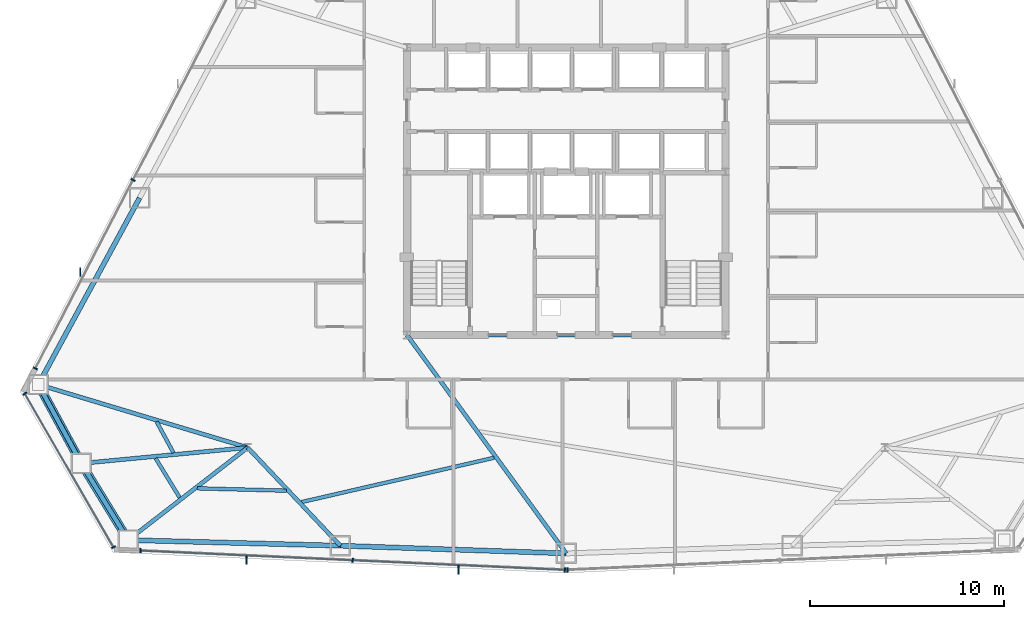
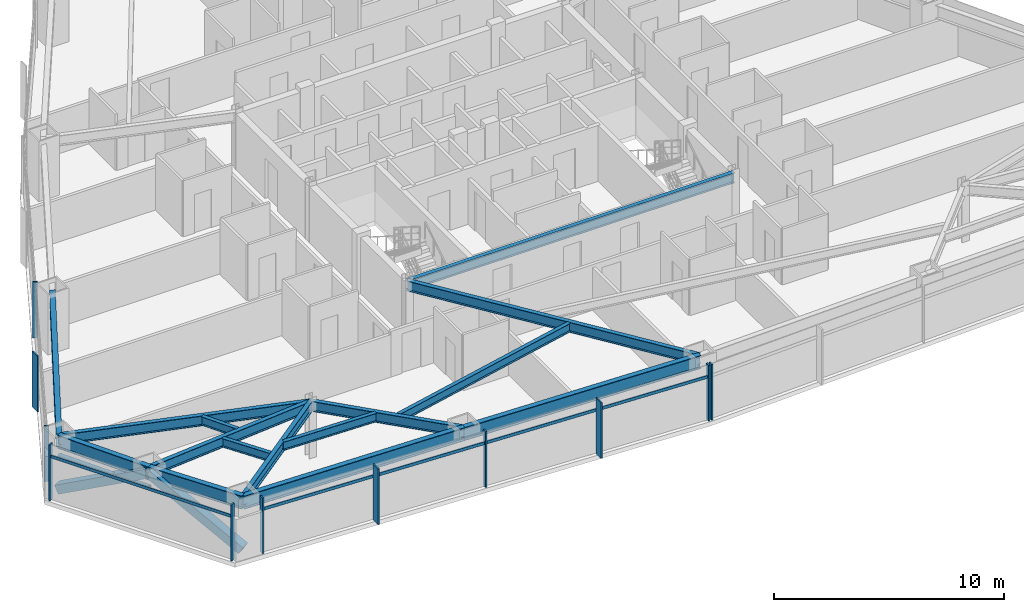
# One storey, part 4 of 13: 16 members, 15 beams, 4 elements without a shape of their own.
"""IFC4 building model written with IfcOpenShell, lengths in metres."""

from ifc_helpers import new_model, si_unit, direction, frame, origin, origin_2d, place, context, subcontext, project, spatial, rectangle, hollow_rectangle, hollow_circle, i_section, extrude, source, transform, mapped, material, layer, layer_set, material_profile, profile_set, type_object, type_shapes, element, aggregate, save


model = new_model("IFC4")

# Units and contexts
model_context = context("Model", 3, precision=1e-05, world=origin(), true_north=direction((0.0, 1.0)))
body_context = subcontext(model_context, "Body", "Model", "MODEL_VIEW")
ifc_project = project(units=[si_unit("LENGTHUNIT", "METRE"), si_unit("AREAUNIT", "SQUARE_METRE"), si_unit("VOLUMEUNIT", "CUBIC_METRE"), si_unit("PLANEANGLEUNIT", "RADIAN"), si_unit("MASSUNIT", "GRAM", prefix="KILO")], contexts=[model_context])

# Site, building, storey
site_placement = place(None, origin())
site = spatial("IfcSite", under=ifc_project, at=site_placement, CompositionType="ELEMENT")
building_placement = place(site_placement, origin())
building = spatial("IfcBuilding", under=site, at=building_placement, Name="Varakhsha Concourse Tower", CompositionType="ELEMENT")
storey_placement = place(building_placement, frame((0.0, 0.0, 86.199951171875)))
storey = spatial("IfcBuildingStorey", under=building, at=storey_placement, Name="L24", CompositionType="ELEMENT", Elevation=86.199951171875)

# Beams
ifc_material_1 = material(Name="Structural Steel ASTM A992 Grade 50", Category="steel")
ifc_material_profile_1 = material_profile(ifc_material_1, i_section(OverallWidth=0.19091796875, OverallDepth=0.45703125, WebThickness=0.009033203125, FlangeThickness=0.013916015625, at=origin_2d()), Name="W18X50")
ifc_profile_set_1 = profile_set([ifc_material_profile_1], Name="Structural Steel ASTM A992 Grade 50")
beam_type_1 = type_object("IfcBeamType", Name="BM-JST-W18X50", PredefinedType="JOIST", material=ifc_profile_set_1)
beam_1_placement = place(storey_placement, frame((18.910400390625, 11.93310546875, 2.741455078125), z_axis=(0.477504293562, -0.878629415414, 0.0), x_axis=(0.878629415414, 0.477504293562, 0.0)))
element("IfcBeam", 1, at=beam_1_placement, inside=storey, type_object=beam_type_1, Name="BM-TJST-L24-07", PredefinedType="JOIST", context=body_context, shape_type="SweptSolid", body=[
    extrude(i_section(OverallWidth=0.19091796875, OverallDepth=0.45703125, WebThickness=0.009033203125, FlangeThickness=0.013916015625, at=origin_2d()), origin(), (0.0, 0.0, 1.0), 1.815673828125),
])
beam_2_placement = place(storey_placement, frame((18.859130859375, 10.049560546875, 2.741455078125), z_axis=(0.522107999924, -0.852879379757, 0.0), x_axis=(0.852879379757, 0.522107999924, 0.0)))
element("IfcBeam", 2, at=beam_2_placement, inside=storey, type_object=beam_type_1, Name="BM-TJST-L24-08", PredefinedType="JOIST", context=body_context, shape_type="SweptSolid", body=[
    extrude(i_section(OverallWidth=0.19091796875, OverallDepth=0.45703125, WebThickness=0.009033203125, FlangeThickness=0.013916015625, at=origin_2d()), origin(), (0.0, 0.0, 1.0), 2.370849609375),
])
beam_3_placement = place(storey_placement, frame((21.002685546875, 8.502197265625, 2.741455078125), z_axis=(0.999648856186, -0.026498383477, 0.0), x_axis=(0.026498383477, 0.999648856186, 0.0)))
element("IfcBeam", 3, at=beam_3_placement, inside=storey, type_object=beam_type_1, Name="BM-TJST-L24-09", PredefinedType="JOIST", context=body_context, shape_type="SweptSolid", body=[
    extrude(i_section(OverallWidth=0.19091796875, OverallDepth=0.45703125, WebThickness=0.009033203125, FlangeThickness=0.013916015625, at=origin_2d()), origin(), (0.0, 0.0, 1.0), 4.58837890625),
])
beam_4_placement = place(storey_placement, frame((26.37890625, 7.796142578125, 2.741455078125), z_axis=(0.974514510129, 0.224324473804, 0.0), x_axis=(-0.224324473804, 0.974514510129, 0.0)))
element("IfcBeam", 4, at=beam_4_placement, inside=storey, type_object=beam_type_1, Name="BM-TJST-L24-10", PredefinedType="JOIST", context=body_context, shape_type="SweptSolid", body=[
    extrude(i_section(OverallWidth=0.19091796875, OverallDepth=0.45703125, WebThickness=0.009033203125, FlangeThickness=0.013916015625, at=origin_2d()), origin(), (0.0, 0.0, 1.0), 10.1650390625),
])
ifc_material_profile_2 = material_profile(ifc_material_1, i_section(OverallWidth=0.2109375, OverallDepth=0.5390625, WebThickness=0.011962890625, FlangeThickness=0.01904296875, at=origin_2d()), Name="W21X73")
ifc_profile_set_2 = profile_set([ifc_material_profile_2], Name="Structural Steel ASTM A992 Grade 50")
beam_type_2 = type_object("IfcBeamType", Name="BM-RAD-W21X73", PredefinedType="BEAM", material=ifc_profile_set_2)
beam_5_placement = place(storey_placement, frame((31.800048828125, 16.39990234375, 2.700439453125), z_axis=(1.0, 0.0, 0.0), x_axis=(0.0, 1.0, 0.0)))
element("IfcBeam", 5, at=beam_5_placement, inside=storey, type_object=beam_type_2, Name="BM-TCORE-L24-CS", PredefinedType="BEAM", context=body_context, shape_type="SweptSolid", body=[
    extrude(i_section(OverallWidth=0.2109375, OverallDepth=0.5390625, WebThickness=0.011962890625, FlangeThickness=0.01904296875, at=origin_2d()), origin(), (0.0, 0.0, 1.0), 16.39990234375),
])
beam_6_placement = place(storey_placement, frame((23.60009765625, 10.60009765625, 2.700439453125), z_axis=(-0.957434410413, 0.288650913313, 0.0), x_axis=(-0.288650913313, -0.957434410413, 0.0)))
element("IfcBeam", 6, at=beam_6_placement, inside=storey, type_object=beam_type_2, Name="L24 Radial Floor Girder 07", PredefinedType="BEAM", context=body_context, shape_type="SweptSolid", body=[
    extrude(i_section(OverallWidth=0.2109375, OverallDepth=0.5390625, WebThickness=0.011962890625, FlangeThickness=0.01904296875, at=origin_2d()), origin(), (0.0, 0.0, 1.0), 11.2568359375),
])
beam_7_placement = place(storey_placement, frame((23.60009765625, 10.60009765625, 2.700439453125), z_axis=(-0.995499423712, -0.094767596724, 0.0), x_axis=(0.094767596724, -0.995499423712, 0.0)))
element("IfcBeam", 7, at=beam_7_placement, inside=storey, type_object=beam_type_2, Name="L24 Radial Floor Girder 08", PredefinedType="BEAM", context=body_context, shape_type="SweptSolid", body=[
    extrude(i_section(OverallWidth=0.2109375, OverallDepth=0.5390625, WebThickness=0.011962890625, FlangeThickness=0.01904296875, at=origin_2d()), origin(), (0.0, 0.0, 1.0), 8.607177734375),
])
beam_8_placement = place(storey_placement, frame((23.60009765625, 10.60009765625, 2.700439453125), z_axis=(-0.790863829476, -0.611992159449, 0.0), x_axis=(0.611992159449, -0.790863829476, 0.0)))
element("IfcBeam", 8, at=beam_8_placement, inside=storey, type_object=beam_type_2, Name="L24 Radial Floor Girder 09", PredefinedType="BEAM", context=body_context, shape_type="SweptSolid", body=[
    extrude(i_section(OverallWidth=0.2109375, OverallDepth=0.5390625, WebThickness=0.011962890625, FlangeThickness=0.01904296875, at=origin_2d()), origin(), (0.0, 0.0, 1.0), 7.77978515625),
])
beam_9_placement = place(storey_placement, frame((23.60009765625, 10.60009765625, 2.700439453125), z_axis=(0.686667898497, -0.726971249207, 0.0), x_axis=(0.726971249207, 0.686667898497, 0.0)))
element("IfcBeam", 9, at=beam_9_placement, inside=storey, type_object=beam_type_2, Name="L24 Radial Floor Girder 10", PredefinedType="BEAM", context=body_context, shape_type="SweptSolid", body=[
    extrude(i_section(OverallWidth=0.2109375, OverallDepth=0.5390625, WebThickness=0.011962890625, FlangeThickness=0.01904296875, at=origin_2d()), origin(), (0.0, 0.0, 1.0), 6.947998046875),
])
beam_10_placement = place(storey_placement, frame((31.800048828125, 16.39990234375, 2.700439453125), z_axis=(0.589090089307, -0.808067365187, 0.0), x_axis=(0.808067365187, 0.589090089307, 0.0)))
element("IfcBeam", 10, at=beam_10_placement, inside=storey, type_object=beam_type_2, Name="L24 Radial Floor Girder 11", PredefinedType="BEAM", context=body_context, shape_type="SweptSolid", body=[
    extrude(i_section(OverallWidth=0.2109375, OverallDepth=0.5390625, WebThickness=0.011962890625, FlangeThickness=0.01904296875, at=origin_2d()), origin(), (0.0, 0.0, 1.0), 13.919677734375),
])
ifc_material_profile_3 = material_profile(ifc_material_1, i_section(OverallWidth=0.25390625, OverallDepth=0.701904296875, WebThickness=0.014892578125, FlangeThickness=0.028076171875, at=origin_2d()), Name="W27X129")
ifc_profile_set_3 = profile_set([ifc_material_profile_3], Name="Structural Steel ASTM A992 Grade 50")
beam_type_3 = type_object("IfcBeamType", Name="BM-SPAN-W27X129", PredefinedType="SPANDREL", material=ifc_profile_set_3)
beam_11_placement = place(storey_placement, frame((18.033203125, 23.45458984375, 2.619140625), z_axis=(-0.476839407103, -0.878990432163, 0.0), x_axis=(0.878990432163, -0.476839407103, 0.0)))
element("IfcBeam", 11, at=beam_11_placement, inside=storey, type_object=beam_type_3, Name="BM-SPAN-L24-06", PredefinedType="SPANDREL", context=body_context, shape_type="SweptSolid", body=[
    extrude(i_section(OverallWidth=0.25390625, OverallDepth=0.701904296875, WebThickness=0.014892578125, FlangeThickness=0.028076171875, at=origin_2d()), origin(), (0.0, 0.0, 1.0), 10.927490234375),
])
beam_12_placement = place(storey_placement, frame((12.822509765625, 13.849365234375, 2.619140625), z_axis=(0.47751686281, -0.878622584351, 0.0), x_axis=(0.878622584351, 0.47751686281, 0.0)))
element("IfcBeam", 12, at=beam_12_placement, inside=storey, type_object=beam_type_3, Name="BM-SPAN-L24-07", PredefinedType="SPANDREL", context=body_context, shape_type="SweptSolid", body=[
    extrude(i_section(OverallWidth=0.25390625, OverallDepth=0.701904296875, WebThickness=0.014892578125, FlangeThickness=0.028076171875, at=origin_2d()), origin(), (0.0, 0.0, 1.0), 4.62646484375),
])
beam_13_placement = place(storey_placement, frame((15.03173828125, 9.784423828125, 2.619140625), z_axis=(0.522135058867, -0.852862814468, 0.0), x_axis=(0.852862814468, 0.522135058867, 0.0)))
element("IfcBeam", 13, at=beam_13_placement, inside=storey, type_object=beam_type_3, Name="BM-SPAN-L24-08", PredefinedType="SPANDREL", context=body_context, shape_type="SweptSolid", body=[
    extrude(i_section(OverallWidth=0.25390625, OverallDepth=0.701904296875, WebThickness=0.014892578125, FlangeThickness=0.028076171875, at=origin_2d()), origin(), (0.0, 0.0, 1.0), 4.626220703125),
])
beam_14_placement = place(storey_placement, frame((17.447265625, 5.8388671875, 2.619140625), z_axis=(0.999648299755, -0.026519366436, 0.0), x_axis=(0.026519366436, 0.999648299755, 0.0)))
element("IfcBeam", 14, at=beam_14_placement, inside=storey, type_object=beam_type_3, Name="BM-SPAN-L24-09", PredefinedType="SPANDREL", context=body_context, shape_type="SweptSolid", body=[
    extrude(i_section(OverallWidth=0.25390625, OverallDepth=0.701904296875, WebThickness=0.014892578125, FlangeThickness=0.028076171875, at=origin_2d()), origin(), (0.0, 0.0, 1.0), 10.927734375),
])
beam_15_placement = place(storey_placement, frame((28.37109375, 5.549072265625, 2.619140625), z_axis=(0.999417135447, -0.034137799785, 0.0), x_axis=(0.034137799785, 0.999417135447, 0.0)))
element("IfcBeam", 15, at=beam_15_placement, inside=storey, type_object=beam_type_3, Name="BM-SPAN-L24-10", PredefinedType="SPANDREL", context=body_context, shape_type="SweptSolid", body=[
    extrude(i_section(OverallWidth=0.25390625, OverallDepth=0.701904296875, WebThickness=0.014892578125, FlangeThickness=0.028076171875, at=origin_2d()), origin(), (0.0, 0.0, 1.0), 11.6357421875),
])

# Members
ifc_material_2 = material(Name="Structural Steel ASTM A500 Grade C", Category="steel")
ifc_material_profile_4 = material_profile(ifc_material_2, hollow_rectangle(XDim=0.449951171875, YDim=0.449951171875, WallThickness=0.01904296875, at=origin_2d()), Name="HSS 450x450x19")
ifc_profile_set_4 = profile_set([ifc_material_profile_4], Name="Structural Steel ASTM A500 Grade C")
member_type_1 = type_object("IfcMemberType", Name="MB-TUBE-HSS450", PredefinedType="BRACE", material=ifc_profile_set_4)
shared_shape_1 = source(origin(), body_context, "Body", "SweptSolid", [
    extrude(hollow_rectangle(XDim=0.449951171875, YDim=0.449951171875, WallThickness=0.01904296875, at=origin_2d()), origin(), (0.0, 0.0, 1.0), 5.282470703125),
])
member_1_placement = place(storey_placement, frame((17.447265625, 5.8388671875, 0.1201171875), z_axis=(-0.457268644843, 0.746909093319, 0.482734080795), x_axis=(-0.852862814468, -0.522135058867, 0.0)))
element("IfcMember", 16, at=member_1_placement, inside=storey, type_object=member_type_1, Name="L24 Wind-Corner Tube Brace B04", PredefinedType="BRACE", context=body_context, shape_type="MappedRepresentation", body=[
    mapped(shared_shape_1, transform((0.0, 0.0, 0.0), scale=1.0)),
])
shared_shape_2 = source(origin(), body_context, "Body", "SweptSolid", [
    extrude(hollow_rectangle(XDim=0.449951171875, YDim=0.449951171875, WallThickness=0.01904296875, at=origin_2d()), origin(), (0.0, 0.0, 1.0), 5.28271484375),
])
type_shapes(member_type_1, [shared_shape_1, shared_shape_2])
member_2_placement = place(storey_placement, frame((12.822509765625, 13.849365234375, 0.1201171875), z_axis=(0.418198623406, -0.769478072684, 0.482714622774), x_axis=(0.878622584351, 0.47751686281, 0.0)))
element("IfcMember", 17, at=member_2_placement, inside=storey, type_object=member_type_1, Name="L24 Wind-Corner Tube Brace B03", PredefinedType="BRACE", context=body_context, shape_type="MappedRepresentation", body=[
    mapped(shared_shape_2, transform((0.0, 0.0, 0.0), scale=1.0)),
])
ifc_material_profile_5 = material_profile(ifc_material_2, hollow_circle(Radius=0.136474609375, WallThickness=0.011962890625, at=origin_2d()), Name="CHS 273x12")
ifc_profile_set_5 = profile_set([ifc_material_profile_5], Name="Structural Steel ASTM A500 Grade C")
member_type_2 = type_object("IfcMemberType", Name="MB-WIND-CHS273", PredefinedType="COLLAR", material=ifc_profile_set_5)
shared_shape_3 = source(origin(), body_context, "Body", "SweptSolid", [
    extrude(hollow_circle(Radius=0.136474609375, WallThickness=0.011962890625, at=origin_2d()), origin(), (0.0, 0.0, 1.0), 4.62646484375),
])
type_shapes(member_type_2, [shared_shape_3])
member_3_placement = place(storey_placement, frame((12.822509765625, 13.849365234375, 1.800048828125), z_axis=(0.47751686281, -0.878622584351, 0.0), x_axis=(0.878622584351, 0.47751686281, 0.0)))
element("IfcMember", 18, at=member_3_placement, inside=storey, type_object=member_type_2, Name="L24 Wind-Corner Collar Tie 2", PredefinedType="COLLAR", context=body_context, shape_type="MappedRepresentation", body=[
    mapped(shared_shape_3, transform((0.0, 0.0, 0.0), scale=1.0)),
])

# Curtain wall, members
ifc_material_3 = material(Name="Anodised Bronze Architectural Aluminium AA 6063-T6", Category="aluminium")
ifc_layer = layer(ifc_material_3, 0.199951171875, Name="CW-SYS-03")
ifc_layer_set = layer_set([ifc_layer], Name="Anodised Bronze Architectural Aluminium AA 6063-T6")
curtain_wall_type = type_object("IfcCurtainWallType", Name="CW-SYS-03", PredefinedType="NOTDEFINED", material=ifc_layer_set)
curtain_wall_1_placement = place(storey_placement, origin())
curtain_wall_1 = element("IfcCurtainWall", 19, at=curtain_wall_1_placement, inside=storey, type_object=curtain_wall_type, Name="L24 Crystal Curtain Wall F3", PredefinedType="NOTDEFINED")
ifc_material_profile_6 = material_profile(ifc_material_3, rectangle(XDim=0.074951171875, YDim=0.219970703125, at=origin_2d()), Name="CWM-220X75")
ifc_profile_set_6 = profile_set([ifc_material_profile_6], Name="Anodised Bronze Architectural Aluminium AA 6063-T6")
member_type_3 = type_object("IfcMemberType", Name="CWM-220X75", PredefinedType="MULLION", material=ifc_profile_set_6)
shared_shape_4 = source(origin(), body_context, "Body", "SweptSolid", [
    extrude(rectangle(XDim=0.074951171875, YDim=0.219970703125, at=origin_2d()), origin(), (0.0, 0.0, 1.0), 2.969970703125),
])
type_shapes(member_type_3, [shared_shape_4])
member_4_placement = place(storey_placement, frame((12.672119140625, 14.67626953125, 0.0), z_axis=(0.0, 0.0, 1.0), x_axis=(0.460185838956, 0.887822613828, 0.0)))
member_4 = element("IfcMember", 20, at=member_4_placement, type_object=member_type_3, Name="CW-L24-F3 Mullion 00", PredefinedType="MULLION", context=body_context, shape_type="MappedRepresentation", body=[
    mapped(shared_shape_4, transform((0.0, 0.0, 0.0), scale=1.0)),
])
member_5_placement = place(storey_placement, frame((17.702392578125, 24.380859375, 0.0), z_axis=(0.0, 0.0, 1.0), x_axis=(0.460185838956, 0.887822613828, 0.0)))
member_5 = element("IfcMember", 21, at=member_5_placement, type_object=member_type_3, Name="CW-L24-F3 Mullion 01", PredefinedType="MULLION", context=body_context, shape_type="MappedRepresentation", body=[
    mapped(shared_shape_4, transform((0.0, 0.0, 0.0), scale=1.0)),
])

curtain_wall_2_placement = place(storey_placement, origin())
curtain_wall_2 = element("IfcCurtainWall", 22, at=curtain_wall_2_placement, inside=storey, type_object=curtain_wall_type, Name="L24 Chamfer Curtain Wall F4", PredefinedType="NOTDEFINED")
member_6_placement = place(storey_placement, frame((16.69091796875, 5.470458984375, 0.0), z_axis=(0.0, 0.0, 1.0), x_axis=(-0.499996976998, 0.866027149108, 0.0)))
member_6 = element("IfcMember", 23, at=member_6_placement, type_object=member_type_3, Name="CW-L24-F4 Mullion 00", PredefinedType="MULLION", context=body_context, shape_type="MappedRepresentation", body=[
    mapped(shared_shape_4, transform((0.0, 0.0, 0.0), scale=1.0)),
])
member_7_placement = place(storey_placement, frame((12.125244140625, 13.378662109375, 0.0), z_axis=(0.0, 0.0, 1.0), x_axis=(-0.499996976998, 0.866027149108, 0.0)))
member_7 = element("IfcMember", 24, at=member_7_placement, type_object=member_type_3, Name="CW-L24-F4 Mullion 01", PredefinedType="MULLION", context=body_context, shape_type="MappedRepresentation", body=[
    mapped(shared_shape_4, transform((0.0, 0.0, 0.0), scale=1.0)),
])

curtain_wall_3_placement = place(storey_placement, origin())
curtain_wall_3 = element("IfcCurtainWall", 25, at=curtain_wall_3_placement, inside=storey, type_object=curtain_wall_type, Name="L24 Crystal Curtain Wall F5", PredefinedType="NOTDEFINED")
member_8_placement = place(storey_placement, frame((39.92724609375, 4.30322265625, 0.0), z_axis=(0.0, 0.0, 1.0), x_axis=(-0.998969777905, 0.045380423448, 0.0)))
member_8 = element("IfcMember", 26, at=member_8_placement, type_object=member_type_3, Name="CW-L24-F5 Mullion 00", PredefinedType="MULLION", context=body_context, shape_type="MappedRepresentation", body=[
    mapped(shared_shape_4, transform((0.0, 0.0, 0.0), scale=1.0)),
])
member_9_placement = place(storey_placement, frame((29.0078125, 4.79931640625, 0.0), z_axis=(0.0, 0.0, 1.0), x_axis=(-0.998969777905, 0.045380423448, 0.0)))
member_9 = element("IfcMember", 27, at=member_9_placement, type_object=member_type_3, Name="CW-L24-F5 Mullion 01", PredefinedType="MULLION", context=body_context, shape_type="MappedRepresentation", body=[
    mapped(shared_shape_4, transform((0.0, 0.0, 0.0), scale=1.0)),
])
member_10_placement = place(storey_placement, frame((18.088134765625, 5.29541015625, 0.0), z_axis=(0.0, 0.0, 1.0), x_axis=(-0.998969777905, 0.045380423448, 0.0)))
member_10 = element("IfcMember", 28, at=member_10_placement, type_object=member_type_3, Name="CW-L24-F5 Mullion 02", PredefinedType="MULLION", context=body_context, shape_type="MappedRepresentation", body=[
    mapped(shared_shape_4, transform((0.0, 0.0, 0.0), scale=1.0)),
])

# Curtain wall, member
curtain_wall_4_placement = place(storey_placement, origin())
curtain_wall_4 = element("IfcCurtainWall", 29, at=curtain_wall_4_placement, inside=storey, type_object=curtain_wall_type, Name="L24 Crystal Curtain Wall F6", PredefinedType="NOTDEFINED")
member_11_placement = place(storey_placement, frame((40.07275390625, 4.30322265625, 0.0), z_axis=(0.0, 0.0, 1.0), x_axis=(-0.998969777905, -0.045380423448, 0.0)))
member_11 = element("IfcMember", 30, at=member_11_placement, type_object=member_type_3, Name="CW-L24-F6 Mullion 02", PredefinedType="MULLION", context=body_context, shape_type="MappedRepresentation", body=[
    mapped(shared_shape_4, transform((0.0, 0.0, 0.0), scale=1.0)),
])
aggregate(curtain_wall_4, [member_11])

# Member
ifc_material_profile_7 = material_profile(ifc_material_3, rectangle(XDim=0.06494140625, YDim=0.449951171875, at=origin_2d()), Name="FIN-BRZ-450")
ifc_profile_set_7 = profile_set([ifc_material_profile_7], Name="Anodised Bronze Architectural Aluminium AA 6063-T6")
member_type_4 = type_object("IfcMemberType", Name="FIN-BRZ-450", PredefinedType="USERDEFINED", material=ifc_profile_set_7)
shared_shape_5 = source(origin(), body_context, "Body", "SweptSolid", [
    extrude(rectangle(XDim=0.06494140625, YDim=0.449951171875, at=origin_2d()), origin(), (0.0, 0.0, 1.0), 2.969970703125),
])
type_shapes(member_type_4, [shared_shape_5])
member_12_placement = place(storey_placement, frame((14.97412109375, 19.638916015625, 0.0), z_axis=(0.0, 0.0, 1.0), x_axis=(1.0, 0.0, 0.0)))
member_12 = element("IfcMember", 31, at=member_12_placement, type_object=member_type_4, Name="L24 Anodised Bronze Solar Fin F3-1", ObjectType="SOLAR FIN", PredefinedType="USERDEFINED", context=body_context, shape_type="MappedRepresentation", body=[
    mapped(shared_shape_5, transform((0.0, 0.0, 0.0), scale=1.0)),
])

aggregate(curtain_wall_1, [member_4, member_5, member_12])

member_13_placement = place(storey_placement, frame((34.45654296875, 4.3115234375, 0.0), z_axis=(0.0, 0.0, 1.0), x_axis=(1.0, 0.0, 0.0)))
member_13 = element("IfcMember", 32, at=member_13_placement, type_object=member_type_4, Name="L24 Anodised Bronze Solar Fin F5-1", ObjectType="SOLAR FIN", PredefinedType="USERDEFINED", context=body_context, shape_type="MappedRepresentation", body=[
    mapped(shared_shape_5, transform((0.0, 0.0, 0.0), scale=1.0)),
])

member_14_placement = place(storey_placement, frame((23.537109375, 4.8076171875, 0.0), z_axis=(0.0, 0.0, 1.0), x_axis=(1.0, 0.0, 0.0)))
member_14 = element("IfcMember", 33, at=member_14_placement, type_object=member_type_4, Name="L24 Anodised Bronze Solar Fin F5-2", ObjectType="SOLAR FIN", PredefinedType="USERDEFINED", context=body_context, shape_type="MappedRepresentation", body=[
    mapped(shared_shape_5, transform((0.0, 0.0, 0.0), scale=1.0)),
])

ifc_material_profile_8 = material_profile(ifc_material_3, rectangle(XDim=0.06494140625, YDim=0.159912109375, at=origin_2d()), Name="CWT-160X65")
ifc_profile_set_8 = profile_set([ifc_material_profile_8], Name="Anodised Bronze Architectural Aluminium AA 6063-T6")
member_type_5 = type_object("IfcMemberType", Name="CWT-160X65", PredefinedType="USERDEFINED", material=ifc_profile_set_8)
shared_shape_6 = source(origin(), body_context, "Body", "SweptSolid", [
    extrude(rectangle(XDim=0.06494140625, YDim=0.159912109375, at=origin_2d()), origin(), (0.0, 0.0, 1.0), 21.861572265625),
])
member_15_placement = place(storey_placement, frame((39.92724609375, 4.30322265625, 2.320068359375), z_axis=(-0.998969576113, 0.045384865318, 0.0), x_axis=(-0.045384865318, -0.998969576113, 0.0)))
member_15 = element("IfcMember", 34, at=member_15_placement, type_object=member_type_5, Name="CW-L24-F5 Transom 01", ObjectType="TRANSOM", PredefinedType="USERDEFINED", context=body_context, shape_type="MappedRepresentation", body=[
    mapped(shared_shape_6, transform((0.0, 0.0, 0.0), scale=1.0)),
])

aggregate(curtain_wall_3, [member_8, member_9, member_10, member_15, member_13, member_14])

shared_shape_7 = source(origin(), body_context, "Body", "SweptSolid", [
    extrude(rectangle(XDim=0.06494140625, YDim=0.159912109375, at=origin_2d()), origin(), (0.0, 0.0, 1.0), 9.131591796875),
])
type_shapes(member_type_5, [shared_shape_6, shared_shape_7])
member_16_placement = place(storey_placement, frame((16.69091796875, 5.470458984375, 2.320068359375), z_axis=(-0.499989374027, 0.866031538606, 0.0), x_axis=(-0.866031538606, -0.499989374027, 0.0)))
member_16 = element("IfcMember", 35, at=member_16_placement, type_object=member_type_5, Name="CW-L24-F4 Transom 01", ObjectType="TRANSOM", PredefinedType="USERDEFINED", context=body_context, shape_type="MappedRepresentation", body=[
    mapped(shared_shape_7, transform((0.0, 0.0, 0.0), scale=1.0)),
])

aggregate(curtain_wall_2, [member_6, member_7, member_16])

save(model, "model.ifc")
